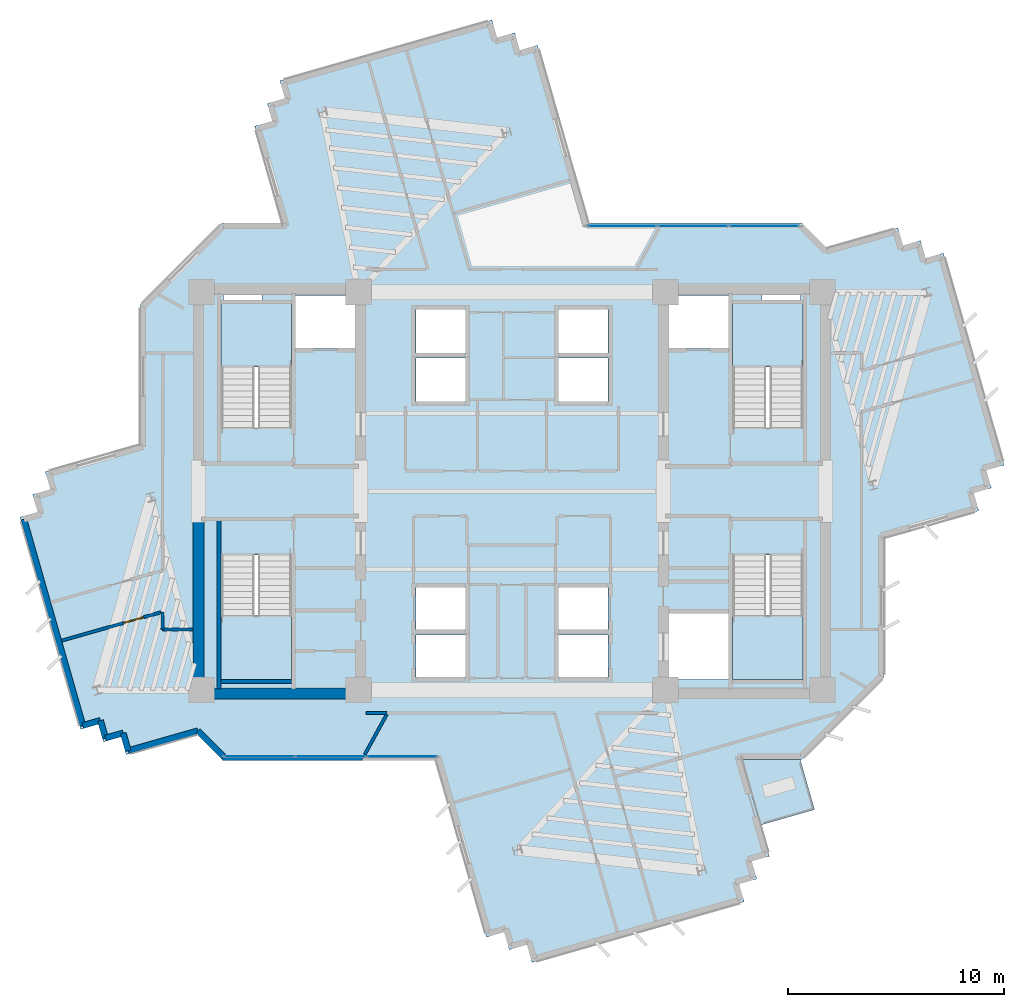
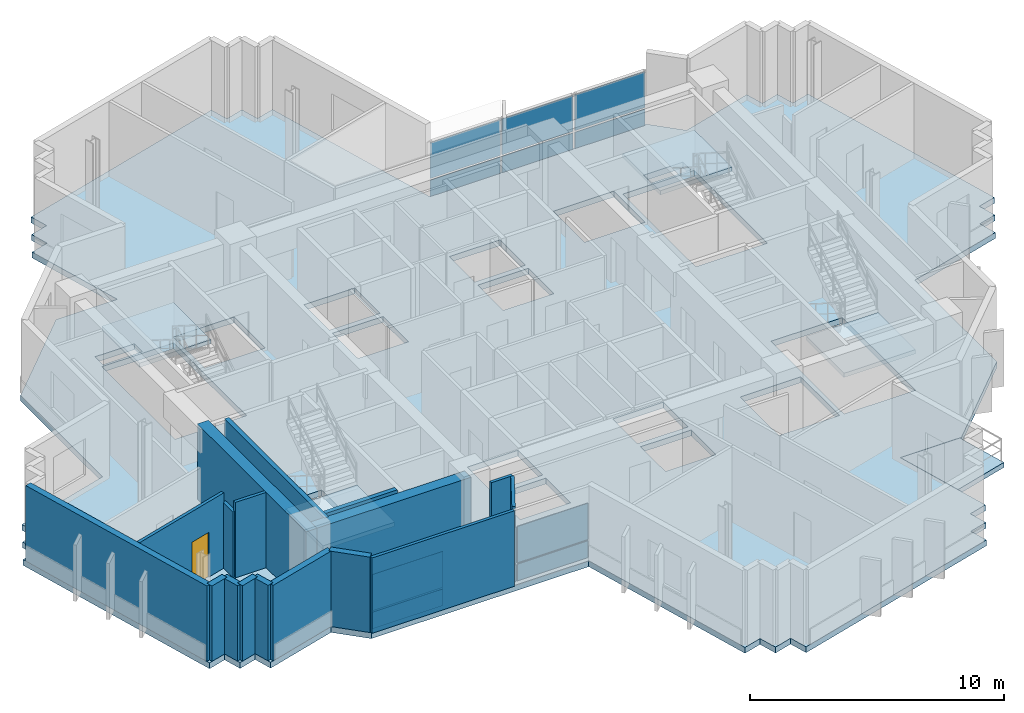
# One storey, part 4 of 14: 17 walls, 12 plates, 6 slabs, 1 door, 1 opening, 6 elements without a shape of their own.
"""IFC4 building model written with IfcOpenShell, lengths in metres."""

from ifc_helpers import new_model, si_unit, direction, frame, frame_2d, origin, origin_2d, place, context, subcontext, project, spatial, polyline, rectangle, outline, extrude, source, transform, mapped, material, layer, layer_set, type_object, element, fill, aggregate, save


model = new_model("IFC4")

# Units and contexts
model_context = context("Model", 3, precision=1e-05, world=origin(), true_north=direction((0.0, 1.0)))
body_context = subcontext(model_context, "Body", "Model", "MODEL_VIEW")
ifc_project = project(units=[si_unit("LENGTHUNIT", "METRE"), si_unit("AREAUNIT", "SQUARE_METRE"), si_unit("VOLUMEUNIT", "CUBIC_METRE"), si_unit("PLANEANGLEUNIT", "RADIAN"), si_unit("MASSUNIT", "GRAM", prefix="KILO")], contexts=[model_context])

# Site, building, storey
site_placement = place(None, origin())
site = spatial("IfcSite", under=ifc_project, at=site_placement, CompositionType="ELEMENT")
building_placement = place(site_placement, origin())
building = spatial("IfcBuilding", under=site, at=building_placement, Name="Zahravan Cultural Tower", CompositionType="ELEMENT")
storey_placement = place(building_placement, frame((0.0, 0.0, 209.699951171875)))
storey = spatial("IfcBuildingStorey", under=building, at=storey_placement, Name="L49", CompositionType="ELEMENT", Elevation=209.699951171875)

# Slab
ifc_material_1 = material(Name="Concrete C45/55", Category="concrete")
ifc_layer_1 = layer(ifc_material_1, 0.280029296875)
ifc_layer_set_1 = layer_set([ifc_layer_1], Name="Concrete C45/55")
slab_type_1 = type_object("IfcSlabType", Name="SL-LIB-280", PredefinedType="FLOOR", material=ifc_layer_set_1)
slab_1_placement = place(storey_placement, frame((0.0, 0.0, -0.280029296875)))
element("IfcSlab", 1, at=slab_1_placement, inside=storey, type_object=slab_type_1, Name="L49 Structural Floor Slab", PredefinedType="FLOOR", context=body_context, shape_type="SweptSolid", body=[
    extrude(outline(polyline([(50.5625, 38.2373046875), (49.39990234375, 39.39990234375), (39.5263671875, 39.39990234375), (37.176025390625, 47.6181640625), (36.35888671875, 47.384521484375), (36.125, 48.20166015625), (35.307861328125, 47.968017578125), (35.07421875, 48.78515625), (25.267333984375, 45.98046875), (25.5009765625, 45.163330078125), (24.683837890625, 44.929443359375), (24.91748046875, 44.1123046875), (24.100341796875, 43.878662109375), (25.381103515625, 39.39990234375), (22.60009765625, 39.39990234375), (18.800048828125, 35.60009765625), (18.800048828125, 29.153564453125), (14.42041015625, 27.901123046875), (14.654052734375, 27.083740234375), (13.8369140625, 26.85009765625), (14.070556640625, 26.032958984375), (13.25341796875, 25.79931640625), (16.05810546875, 15.9921875), (16.875244140625, 16.22607421875), (17.10888671875, 15.40869140625), (17.92626953125, 15.642578125), (18.159912109375, 14.8251953125), (21.4375, 15.7626953125), (22.60009765625, 14.60009765625), (32.4736328125, 14.60009765625), (34.823974609375, 6.3818359375), (35.64111328125, 6.615478515625), (35.875, 5.79833984375), (36.692138671875, 6.031982421875), (36.92578125, 5.21484375), (46.732666015625, 8.01953125), (46.4990234375, 8.836669921875), (47.316162109375, 9.070556640625), (47.08251953125, 9.8876953125), (47.899658203125, 10.121337890625), (46.618896484375, 14.60009765625), (49.39990234375, 14.60009765625), (53.199951171875, 18.39990234375), (53.199951171875, 24.846435546875), (57.57958984375, 26.098876953125), (57.345947265625, 26.916259765625), (58.1630859375, 27.14990234375), (57.929443359375, 27.967041015625), (58.74658203125, 28.20068359375), (55.94189453125, 38.0078125), (55.124755859375, 37.77392578125), (54.89111328125, 38.59130859375), (54.07373046875, 38.357421875), (53.840087890625, 39.1748046875), (50.5625, 38.2373046875)]), holes=[polyline([(22.550048828125, 29.949951171875), (22.550048828125, 35.699951171875), (25.800048828125, 35.699951171875), (25.800048828125, 29.949951171875), (22.550048828125, 29.949951171875)]), polyline([(22.550048828125, 18.300048828125), (22.550048828125, 24.050048828125), (25.800048828125, 24.050048828125), (25.800048828125, 18.300048828125), (22.550048828125, 18.300048828125)]), polyline([(46.199951171875, 29.949951171875), (46.199951171875, 35.699951171875), (49.449951171875, 35.699951171875), (49.449951171875, 29.949951171875), (46.199951171875, 29.949951171875)]), polyline([(46.199951171875, 18.300048828125), (46.199951171875, 24.050048828125), (49.449951171875, 24.050048828125), (49.449951171875, 18.300048828125), (46.199951171875, 18.300048828125)]), polyline([(26.0, 33.60009765625), (26.0, 36.050048828125), (28.75, 36.050048828125), (28.75, 33.60009765625), (26.0, 33.60009765625)]), polyline([(43.25, 33.60009765625), (43.25, 36.050048828125), (46.0, 36.050048828125), (46.0, 33.60009765625), (43.25, 33.60009765625)]), polyline([(43.25, 18.300048828125), (43.25, 21.35009765625), (46.0, 21.35009765625), (46.0, 18.300048828125), (43.25, 18.300048828125)]), polyline([(31.550048828125, 33.39990234375), (31.550048828125, 35.39990234375), (33.85009765625, 35.39990234375), (33.85009765625, 33.39990234375), (31.550048828125, 33.39990234375)]), polyline([(31.550048828125, 31.14990234375), (31.550048828125, 33.14990234375), (33.85009765625, 33.14990234375), (33.85009765625, 31.14990234375), (31.550048828125, 31.14990234375)]), polyline([(38.14990234375, 33.39990234375), (38.14990234375, 35.39990234375), (40.449951171875, 35.39990234375), (40.449951171875, 33.39990234375), (38.14990234375, 33.39990234375)]), polyline([(38.14990234375, 31.14990234375), (38.14990234375, 33.14990234375), (40.449951171875, 33.14990234375), (40.449951171875, 31.14990234375), (38.14990234375, 31.14990234375)]), polyline([(31.550048828125, 20.60009765625), (31.550048828125, 22.550048828125), (33.85009765625, 22.550048828125), (33.85009765625, 20.60009765625), (31.550048828125, 20.60009765625)]), polyline([(31.550048828125, 18.39990234375), (31.550048828125, 20.35009765625), (33.85009765625, 20.35009765625), (33.85009765625, 18.39990234375), (31.550048828125, 18.39990234375)]), polyline([(38.14990234375, 20.60009765625), (38.14990234375, 22.550048828125), (40.449951171875, 22.550048828125), (40.449951171875, 20.60009765625), (38.14990234375, 20.60009765625)]), polyline([(38.14990234375, 18.39990234375), (38.14990234375, 20.35009765625), (40.449951171875, 20.35009765625), (40.449951171875, 18.39990234375), (38.14990234375, 18.39990234375)]), polyline([(22.64990234375, 35.800048828125), (22.64990234375, 36.419921875), (24.449951171875, 36.419921875), (24.449951171875, 35.800048828125), (22.64990234375, 35.800048828125)]), polyline([(47.550048828125, 35.800048828125), (47.550048828125, 36.419921875), (49.35009765625, 36.419921875), (49.35009765625, 35.800048828125), (47.550048828125, 35.800048828125)])]), origin(), (0.0, 0.0, 1.0), 0.280029296875),
])

# Stair, slab
stair_type = type_object("IfcStairType", Name="STR-DL-1550-390", PredefinedType="HALF_TURN_STAIR", material=ifc_material_1)
stair_1_placement = place(storey_placement, origin())
stair_1 = element("IfcStair", 2, at=stair_1_placement, inside=storey, type_object=stair_type, Name="L49 West Core North Exit Stair ST-W1", PredefinedType="HALF_TURN_STAIR")
ifc_layer_2 = layer(ifc_material_1, 0.199951171875)
ifc_layer_set_2 = layer_set([ifc_layer_2], Name="Concrete C45/55")
slab_type_2 = type_object("IfcSlabType", Name="SL-STAIR-LND200", PredefinedType="LANDING", material=ifc_layer_set_2)
slab_2_placement = place(storey_placement, frame((0.0, 0.0, 1.75)))
slab_2 = element("IfcSlab", 3, at=slab_2_placement, type_object=slab_type_2, Name="ST-W1 landing 1", PredefinedType="LANDING", context=body_context, shape_type="SweptSolid", body=[
    extrude(outline(polyline([(25.800048828125, 32.75), (25.800048828125, 35.699951171875), (22.550048828125, 35.699951171875), (22.550048828125, 32.75), (25.800048828125, 32.75)])), origin(), (0.0, 0.0, 1.0), 0.199951171875),
])
aggregate(stair_1, [slab_2])

stair_2_placement = place(storey_placement, origin())
stair_2 = element("IfcStair", 4, at=stair_2_placement, inside=storey, type_object=stair_type, Name="L49 West Core South Exit Stair ST-W2", PredefinedType="HALF_TURN_STAIR")
slab_3_placement = place(storey_placement, frame((0.0, 0.0, 1.75)))
slab_3 = element("IfcSlab", 5, at=slab_3_placement, type_object=slab_type_2, Name="ST-W2 landing 1", PredefinedType="LANDING", context=body_context, shape_type="SweptSolid", body=[
    extrude(outline(polyline([(22.550048828125, 21.25), (22.550048828125, 18.300048828125), (25.800048828125, 18.300048828125), (25.800048828125, 21.25), (22.550048828125, 21.25)])), origin(), (0.0, 0.0, 1.0), 0.199951171875),
])
aggregate(stair_2, [slab_3])

stair_3_placement = place(storey_placement, origin())
stair_3 = element("IfcStair", 6, at=stair_3_placement, inside=storey, type_object=stair_type, Name="L49 East Core North Exit Stair ST-E1", PredefinedType="HALF_TURN_STAIR")
slab_4_placement = place(storey_placement, frame((0.0, 0.0, 1.75)))
slab_4 = element("IfcSlab", 7, at=slab_4_placement, type_object=slab_type_2, Name="ST-E1 landing 1", PredefinedType="LANDING", context=body_context, shape_type="SweptSolid", body=[
    extrude(outline(polyline([(49.449951171875, 32.75), (49.449951171875, 35.699951171875), (46.199951171875, 35.699951171875), (46.199951171875, 32.75), (49.449951171875, 32.75)])), origin(), (0.0, 0.0, 1.0), 0.199951171875),
])
aggregate(stair_3, [slab_4])

stair_4_placement = place(storey_placement, origin())
stair_4 = element("IfcStair", 8, at=stair_4_placement, inside=storey, type_object=stair_type, Name="L49 East Core South Exit Stair ST-E2", PredefinedType="HALF_TURN_STAIR")
slab_5_placement = place(storey_placement, frame((0.0, 0.0, 1.75)))
slab_5 = element("IfcSlab", 9, at=slab_5_placement, type_object=slab_type_2, Name="ST-E2 landing 1", PredefinedType="LANDING", context=body_context, shape_type="SweptSolid", body=[
    extrude(outline(polyline([(46.199951171875, 21.25), (46.199951171875, 18.300048828125), (49.449951171875, 18.300048828125), (49.449951171875, 21.25), (46.199951171875, 21.25)])), origin(), (0.0, 0.0, 1.0), 0.199951171875),
])
aggregate(stair_4, [slab_5])

# Slab
ifc_material_2 = material(Name="Concrete C40/50", Category="concrete")
ifc_layer_3 = layer(ifc_material_2, 0.239990234375)
ifc_layer_set_3 = layer_set([ifc_layer_3], Name="Concrete C40/50")
slab_type_3 = type_object("IfcSlabType", Name="SL-TERR-240", PredefinedType="FLOOR", material=ifc_layer_set_3)
slab_6_placement = place(storey_placement, frame((0.0, 0.0, -0.239990234375)))
element("IfcSlab", 10, at=slab_6_placement, inside=storey, type_object=slab_type_3, Name="L49 Planted Sculpture Terrace SE", PredefinedType="FLOOR", context=body_context, shape_type="SweptSolid", body=[
    extrude(outline(polyline([(49.987060546875, 12.278564453125), (49.32470703125, 14.594970703125), (46.62548828125, 14.594970703125), (47.4921875, 11.56494140625), (49.987060546875, 12.278564453125)])), origin(), (0.0, 0.0, 1.0), 0.239990234375),
])

# Curtain wall, plates
ifc_material_3 = material(Name="Anodised bronze-aluminium mullion", Category="aluminium")
ifc_layer_4 = layer(ifc_material_3, 0.1650390625)
ifc_layer_set_4 = layer_set([ifc_layer_4], Name="Anodised bronze-aluminium mullion")
curtain_wall_type_1 = type_object("IfcCurtainWallType", Name="CW-SYS-4", PredefinedType="USERDEFINED", material=ifc_layer_set_4)
curtain_wall_1_placement = place(storey_placement, origin())
curtain_wall_1 = element("IfcCurtainWall", 11, at=curtain_wall_1_placement, inside=storey, type_object=curtain_wall_type_1, Name="L49 Recessed Curtain Wall CW-4.1", ObjectType="RECESSED GLAZING", PredefinedType="USERDEFINED")
ifc_material_4 = material(Name="Low-E solar-control double glazing", Category="glass")
ifc_layer_5 = layer(ifc_material_4, 0.02587890625)
ifc_layer_set_5 = layer_set([ifc_layer_5], Name="Low-E solar-control double glazing")
plate_type_1 = type_object("IfcPlateType", Name="CWP-CW-4", PredefinedType="CURTAIN_PANEL", material=ifc_layer_set_5)
shared_shape_1 = source(origin(), body_context, "Body", "SweptSolid", [
    extrude(rectangle(XDim=3.209716796875, YDim=0.02587890625, at=origin_2d()), origin(), (0.0, 0.0, 1.0), 0.802490234375),
])
plate_1_placement = place(storey_placement, frame((30.909423828125, 14.739990234375, 0.06494140625), z_axis=(0.0, 0.0, 1.0), x_axis=(-1.0, 0.0, 0.0)))
plate_1 = element("IfcPlate", 12, at=plate_1_placement, type_object=plate_type_1, Name="CW-4 panel 1.1", PredefinedType="CURTAIN_PANEL", context=body_context, shape_type="MappedRepresentation", body=[
    mapped(shared_shape_1, transform((0.0, 0.0, 0.0), x_axis=(1.0, 0.0, 0.0), y_axis=(0.0, 1.0, 0.0), z_axis=(0.0, 0.0, 1.0), scale=1.0)),
])
plate_2_placement = place(storey_placement, frame((24.327880859375, 14.739990234375, 0.06494140625), z_axis=(0.0, 0.0, 1.0), x_axis=(-1.0, 0.0, 0.0)))
plate_2 = element("IfcPlate", 13, at=plate_2_placement, type_object=plate_type_1, Name="CW-4 panel 3.1", PredefinedType="CURTAIN_PANEL", context=body_context, shape_type="MappedRepresentation", body=[
    mapped(shared_shape_1, transform((0.0, 0.0, 0.0), x_axis=(1.0, 0.0, 0.0), y_axis=(0.0, 1.0, 0.0), z_axis=(0.0, 0.0, 1.0), scale=1.0)),
])
shared_shape_2 = source(origin(), body_context, "Body", "SweptSolid", [
    extrude(rectangle(XDim=3.209716796875, YDim=0.02587890625, at=origin_2d()), origin(), (0.0, 0.0, 1.0), 1.742431640625),
])
plate_3_placement = place(storey_placement, frame((30.909423828125, 14.739990234375, 0.9326171875), z_axis=(0.0, 0.0, 1.0), x_axis=(-1.0, 0.0, 0.0)))
plate_3 = element("IfcPlate", 14, at=plate_3_placement, type_object=plate_type_1, Name="CW-4 panel 1.2", PredefinedType="CURTAIN_PANEL", context=body_context, shape_type="MappedRepresentation", body=[
    mapped(shared_shape_2, transform((0.0, 0.0, 0.0), x_axis=(1.0, 0.0, 0.0), y_axis=(0.0, 1.0, 0.0), z_axis=(0.0, 0.0, 1.0), scale=1.0)),
])
plate_4_placement = place(storey_placement, frame((24.327880859375, 14.739990234375, 0.9326171875), z_axis=(0.0, 0.0, 1.0), x_axis=(-1.0, 0.0, 0.0)))
plate_4 = element("IfcPlate", 15, at=plate_4_placement, type_object=plate_type_1, Name="CW-4 panel 3.2", PredefinedType="CURTAIN_PANEL", context=body_context, shape_type="MappedRepresentation", body=[
    mapped(shared_shape_2, transform((0.0, 0.0, 0.0), x_axis=(1.0, 0.0, 0.0), y_axis=(0.0, 1.0, 0.0), z_axis=(0.0, 0.0, 1.0), scale=1.0)),
])
shared_shape_3 = source(origin(), body_context, "Body", "SweptSolid", [
    extrude(rectangle(XDim=3.2421875, YDim=0.02587890625, at=origin_2d()), origin(), (0.0, 0.0, 1.0), 0.802490234375),
])
plate_5_placement = place(storey_placement, frame((27.61865234375, 14.739990234375, 0.06494140625), z_axis=(0.0, 0.0, 1.0), x_axis=(-1.0, 0.0, 0.0)))
plate_5 = element("IfcPlate", 16, at=plate_5_placement, type_object=plate_type_1, Name="CW-4 panel 2.1", PredefinedType="CURTAIN_PANEL", context=body_context, shape_type="MappedRepresentation", body=[
    mapped(shared_shape_3, transform((0.0, 0.0, 0.0), x_axis=(1.0, 0.0, 0.0), y_axis=(0.0, 1.0, 0.0), z_axis=(0.0, 0.0, 1.0), scale=1.0)),
])
shared_shape_4 = source(origin(), body_context, "Body", "SweptSolid", [
    extrude(rectangle(XDim=3.2421875, YDim=0.02587890625, at=origin_2d()), origin(), (0.0, 0.0, 1.0), 1.742431640625),
])
plate_6_placement = place(storey_placement, frame((27.61865234375, 14.739990234375, 0.9326171875), z_axis=(0.0, 0.0, 1.0), x_axis=(-1.0, 0.0, 0.0)))
plate_6 = element("IfcPlate", 17, at=plate_6_placement, type_object=plate_type_1, Name="CW-4 panel 2.2", PredefinedType="CURTAIN_PANEL", context=body_context, shape_type="MappedRepresentation", body=[
    mapped(shared_shape_4, transform((0.0, 0.0, 0.0), x_axis=(1.0, 0.0, 0.0), y_axis=(0.0, 1.0, 0.0), z_axis=(0.0, 0.0, 1.0), scale=1.0)),
])
aggregate(curtain_wall_1, [plate_1, plate_3, plate_5, plate_6, plate_2, plate_4])

ifc_layer_6 = layer(ifc_material_3, 0.219970703125)
ifc_layer_set_6 = layer_set([ifc_layer_6], Name="Anodised bronze-aluminium mullion")
curtain_wall_type_2 = type_object("IfcCurtainWallType", Name="CW-SYS-1", PredefinedType="USERDEFINED", material=ifc_layer_set_6)
curtain_wall_2_placement = place(storey_placement, origin())
curtain_wall_2 = element("IfcCurtainWall", 18, at=curtain_wall_2_placement, inside=storey, type_object=curtain_wall_type_2, Name="L49 Recessed Curtain Wall CW-1.2", ObjectType="RECESSED GLAZING", PredefinedType="USERDEFINED")
ifc_layer_7 = layer(ifc_material_4, 0.031982421875)
ifc_layer_set_7 = layer_set([ifc_layer_7], Name="Low-E solar-control double glazing")
plate_type_2 = type_object("IfcPlateType", Name="CWP-CW-1", PredefinedType="CURTAIN_PANEL", material=ifc_layer_set_7)
shared_shape_5 = source(origin(), body_context, "Body", "SweptSolid", [
    extrude(rectangle(XDim=3.18701171875, YDim=0.031982421875, at=origin_2d()), origin(), (0.0, 0.0, 1.0), 0.780029296875),
])
plate_7_placement = place(storey_placement, frame((41.09423828125, 39.260009765625, 0.080078125), z_axis=(0.0, 0.0, 1.0), x_axis=(1.0, 0.0, 0.0)))
plate_7 = element("IfcPlate", 19, at=plate_7_placement, type_object=plate_type_2, Name="CW-1 panel 1.1", PredefinedType="CURTAIN_PANEL", context=body_context, shape_type="MappedRepresentation", body=[
    mapped(shared_shape_5, transform((0.0, 0.0, 0.0), x_axis=(1.0, 0.0, 0.0), y_axis=(0.0, 1.0, 0.0), z_axis=(0.0, 0.0, 1.0), scale=1.0)),
])
plate_8_placement = place(storey_placement, frame((47.66845703125, 39.260009765625, 0.080078125), z_axis=(0.0, 0.0, 1.0), x_axis=(1.0, 0.0, 0.0)))
plate_8 = element("IfcPlate", 20, at=plate_8_placement, type_object=plate_type_2, Name="CW-1 panel 3.1", PredefinedType="CURTAIN_PANEL", context=body_context, shape_type="MappedRepresentation", body=[
    mapped(shared_shape_5, transform((0.0, 0.0, 0.0), x_axis=(1.0, 0.0, 0.0), y_axis=(0.0, 1.0, 0.0), z_axis=(0.0, 0.0, 1.0), scale=1.0)),
])
shared_shape_6 = source(origin(), body_context, "Body", "SweptSolid", [
    extrude(rectangle(XDim=3.18701171875, YDim=0.031982421875, at=origin_2d()), origin(), (0.0, 0.0, 1.0), 1.719970703125),
])
plate_9_placement = place(storey_placement, frame((41.09423828125, 39.260009765625, 0.93994140625), z_axis=(0.0, 0.0, 1.0), x_axis=(1.0, 0.0, 0.0)))
plate_9 = element("IfcPlate", 21, at=plate_9_placement, type_object=plate_type_2, Name="CW-1 panel 1.2", PredefinedType="CURTAIN_PANEL", context=body_context, shape_type="MappedRepresentation", body=[
    mapped(shared_shape_6, transform((0.0, 0.0, 0.0), x_axis=(1.0, 0.0, 0.0), y_axis=(0.0, 1.0, 0.0), z_axis=(0.0, 0.0, 1.0), scale=1.0)),
])
plate_10_placement = place(storey_placement, frame((47.66845703125, 39.260009765625, 0.93994140625), z_axis=(0.0, 0.0, 1.0), x_axis=(1.0, 0.0, 0.0)))
plate_10 = element("IfcPlate", 22, at=plate_10_placement, type_object=plate_type_2, Name="CW-1 panel 3.2", PredefinedType="CURTAIN_PANEL", context=body_context, shape_type="MappedRepresentation", body=[
    mapped(shared_shape_6, transform((0.0, 0.0, 0.0), x_axis=(1.0, 0.0, 0.0), y_axis=(0.0, 1.0, 0.0), z_axis=(0.0, 0.0, 1.0), scale=1.0)),
])
shared_shape_7 = source(origin(), body_context, "Body", "SweptSolid", [
    extrude(rectangle(XDim=3.22705078125, YDim=0.031982421875, at=origin_2d()), origin(), (0.0, 0.0, 1.0), 0.780029296875),
])
plate_11_placement = place(storey_placement, frame((44.38134765625, 39.260009765625, 0.080078125), z_axis=(0.0, 0.0, 1.0), x_axis=(1.0, 0.0, 0.0)))
plate_11 = element("IfcPlate", 23, at=plate_11_placement, type_object=plate_type_2, Name="CW-1 panel 2.1", PredefinedType="CURTAIN_PANEL", context=body_context, shape_type="MappedRepresentation", body=[
    mapped(shared_shape_7, transform((0.0, 0.0, 0.0), x_axis=(1.0, 0.0, 0.0), y_axis=(0.0, 1.0, 0.0), z_axis=(0.0, 0.0, 1.0), scale=1.0)),
])
shared_shape_8 = source(origin(), body_context, "Body", "SweptSolid", [
    extrude(rectangle(XDim=3.22705078125, YDim=0.031982421875, at=origin_2d()), origin(), (0.0, 0.0, 1.0), 1.719970703125),
])
plate_12_placement = place(storey_placement, frame((44.38134765625, 39.260009765625, 0.93994140625), z_axis=(0.0, 0.0, 1.0), x_axis=(1.0, 0.0, 0.0)))
plate_12 = element("IfcPlate", 24, at=plate_12_placement, type_object=plate_type_2, Name="CW-1 panel 2.2", PredefinedType="CURTAIN_PANEL", context=body_context, shape_type="MappedRepresentation", body=[
    mapped(shared_shape_8, transform((0.0, 0.0, 0.0), x_axis=(1.0, 0.0, 0.0), y_axis=(0.0, 1.0, 0.0), z_axis=(0.0, 0.0, 1.0), scale=1.0)),
])
aggregate(curtain_wall_2, [plate_7, plate_9, plate_11, plate_12, plate_8, plate_10])

# Wall, opening, door
ifc_material_5 = material(Name="Gypsum plasterboard partition")
ifc_layer_8 = layer(ifc_material_5, 0.139892578125)
ifc_layer_set_8 = layer_set([ifc_layer_8], Name="Gypsum plasterboard partition")
wall_type_1 = type_object("IfcWallType", Name="W-PART-140", PredefinedType="PARTITIONING", material=ifc_layer_set_8)
wall_1_placement = place(storey_placement, frame((15.1826171875, 20.089599609375, 0.0), z_axis=(0.0, 0.0, 1.0), x_axis=(0.961460270043, 0.274943901784, 0.0)))
wall_1 = element("IfcWall", 25, at=wall_1_placement, inside=storey, type_object=wall_type_1, Name="L49 Interior Wall 119", PredefinedType="PARTITIONING", context=body_context, shape_type="SweptSolid", body=[
    extrude(rectangle(XDim=4.7763671875, YDim=0.139892578125, at=frame_2d((2.38818359375, 0.0))), origin(), (0.0, 0.0, 1.0), 3.6201171875),
])
opening_placement = place(wall_1_placement, frame((2.984619140625, 0.0, 0.0)))
opening = element("IfcOpeningElement", 26, at=opening_placement, cuts=wall_1, Name="Opening D-L49-29", PredefinedType="OPENING", context=body_context, shape_type="SweptSolid", body=[
    extrude(rectangle(XDim=0.949951171875, YDim=2.14990234375, at=frame_2d((0.47509765625, 1.074951171875))), frame((0.0, 0.079833984375, 0.0), z_axis=(0.0, -1.0, 0.0), x_axis=(1.0, 0.0, 0.0)), (0.0, 0.0, 1.0), 0.159912109375),
])
door_type = type_object("IfcDoorType", Name="DR-ROOM-950", OperationType="NOTDEFINED", PredefinedType="DOOR", material=ifc_material_3)
shared_shape_9 = source(origin(), body_context, "Body", "SweptSolid", [
    extrude(rectangle(XDim=0.949951171875, YDim=2.14990234375, at=frame_2d((0.47509765625, 1.074951171875))), frame((0.0, 0.02490234375, 0.0), z_axis=(0.0, -1.0, 0.0), x_axis=(1.0, 0.0, 0.0)), (0.0, 0.0, 1.0), 0.050048828125),
])
door_placement = place(opening_placement, origin())
door = element("IfcDoor", 27, at=door_placement, inside=storey, type_object=door_type, Name="L49 Door D-L49-29", OperationType="SINGLE_SWING_LEFT", OverallHeight=2.14990234375, OverallWidth=0.949951171875, PredefinedType="DOOR", context=body_context, shape_type="MappedRepresentation", body=[
    mapped(shared_shape_9, transform((0.0, 0.0, 0.0), x_axis=(1.0, 0.0, 0.0), y_axis=(0.0, 1.0, 0.0), z_axis=(0.0, 0.0, 1.0), scale=1.0)),
])
fill(opening, door)

# Walls
ifc_material_6 = material(Name="Concrete C60/75", Category="concrete")
ifc_layer_9 = layer(ifc_material_6, 0.5)
ifc_layer_set_9 = layer_set([ifc_layer_9], Name="Concrete C60/75")
wall_type_2 = type_object("IfcWallType", Name="CW-SHEAR-500-C60", PredefinedType="SHEAR", material=ifc_layer_set_9)
shared_shape_10 = source(origin(), body_context, "Body", "SweptSolid", [
    extrude(rectangle(XDim=8.550048828125, YDim=0.5, at=frame_2d((4.27490234375, 0.0))), origin(), (0.0, 0.0, 1.0), 3.6201171875),
])
wall_2_placement = place(storey_placement, frame((21.5, 17.39990234375, 0.0), z_axis=(0.0, 0.0, 1.0), x_axis=(0.0, 1.0, 0.0)))
element("IfcWall", 28, at=wall_2_placement, inside=storey, type_object=wall_type_2, Name="L49 Core Shear Wall CW-W-WS-L49", PredefinedType="SHEAR", context=body_context, shape_type="MappedRepresentation", body=[
    mapped(shared_shape_10, transform((0.0, 0.0, 0.0), x_axis=(1.0, 0.0, 0.0), y_axis=(0.0, 1.0, 0.0), z_axis=(0.0, 0.0, 1.0), scale=1.0)),
])
shared_shape_11 = source(origin(), body_context, "Body", "SweptSolid", [
    extrude(rectangle(XDim=7.0, YDim=0.5, at=frame_2d((3.5, 0.0))), origin(), (0.0, 0.0, 1.0), 3.6201171875),
])
wall_3_placement = place(storey_placement, frame((21.75, 17.64990234375, 0.0), z_axis=(0.0, 0.0, 1.0), x_axis=(1.0, 0.0, 0.0)))
element("IfcWall", 29, at=wall_3_placement, inside=storey, type_object=wall_type_2, Name="L49 Core Shear Wall CW-W-S-L49", PredefinedType="SHEAR", context=body_context, shape_type="MappedRepresentation", body=[
    mapped(shared_shape_11, transform((0.0, 0.0, 0.0), x_axis=(1.0, 0.0, 0.0), y_axis=(0.0, 1.0, 0.0), z_axis=(0.0, 0.0, 1.0), scale=1.0)),
])
ifc_material_7 = material(Name="Precast concrete C40/50", Category="concrete")
ifc_layer_10 = layer(ifc_material_7, 0.280029296875)
ifc_layer_set_10 = layer_set([ifc_layer_10], Name="Precast concrete C40/50")
wall_type_3 = type_object("IfcWallType", Name="EW-TC-280", PredefinedType="SOLIDWALL", material=ifc_layer_set_10)
shared_shape_12 = source(origin(), body_context, "Body", "SweptSolid", [
    extrude(rectangle(XDim=0.85009765625, YDim=0.280029296875, at=frame_2d((0.425048828125, 0.0))), origin(), (0.0, 0.0, 1.0), 3.6201171875),
])
for number, where, z_axis, x_axis, name in (
    (30, (18.256103515625, 14.998291015625, 0.0), (0.0, 0.0, 1.0), (-0.275100375961, 0.961415510144, 0.0), "L49 Exterior Masonry Frame Wall 28"),
    (31, (17.205078125, 15.581787109375, 0.0), (0.0, 0.0, 1.0), (-0.274834915789, 0.961491429532, 0.0), "L49 Exterior Masonry Frame Wall 30"),
):
    element("IfcWall", number, at=place(storey_placement, frame(where, z_axis=z_axis, x_axis=x_axis)), inside=storey, type_object=wall_type_3, Name=name, PredefinedType="SOLIDWALL", context=body_context, shape_type="MappedRepresentation", body=[
        mapped(shared_shape_12, transform((0.0, 0.0, 0.0), x_axis=(1.0, 0.0, 0.0), y_axis=(0.0, 1.0, 0.0), z_axis=(0.0, 0.0, 1.0), scale=1.0)),
    ])
shared_shape_13 = source(origin(), body_context, "Body", "SweptSolid", [
    extrude(rectangle(XDim=0.849853515625, YDim=0.280029296875, at=frame_2d((0.4248046875, 0.0))), origin(), (0.0, 0.0, 1.0), 3.6201171875),
])
for number, where, z_axis, x_axis, name in (
    (32, (18.022216796875, 15.815673828125, 0.0), (0.0, 0.0, 1.0), (-0.961393768724, -0.275176346112, 0.0), "L49 Exterior Masonry Frame Wall 29"),
    (33, (16.971435546875, 16.399169921875, 0.0), (0.0, 0.0, 1.0), (-0.961393768724, -0.275176346112, 0.0), "L49 Exterior Masonry Frame Wall 31"),
):
    element("IfcWall", number, at=place(storey_placement, frame(where, z_axis=z_axis, x_axis=x_axis)), inside=storey, type_object=wall_type_3, Name=name, PredefinedType="SOLIDWALL", context=body_context, shape_type="MappedRepresentation", body=[
        mapped(shared_shape_13, transform((0.0, 0.0, 0.0), x_axis=(1.0, 0.0, 0.0), y_axis=(0.0, 1.0, 0.0), z_axis=(0.0, 0.0, 1.0), scale=1.0)),
    ])
shared_shape_14 = source(origin(), body_context, "Body", "SweptSolid", [
    extrude(rectangle(XDim=9.920166015625, YDim=0.280029296875, at=frame_2d((4.9599609375, 0.0))), origin(), (0.0, 0.0, 1.0), 3.6201171875),
])
wall_4_placement = place(storey_placement, frame((16.154296875, 16.165283203125, 0.0), z_axis=(0.0, 0.0, 1.0), x_axis=(-0.274971401171, 0.961452405758, 0.0)))
element("IfcWall", 34, at=wall_4_placement, inside=storey, type_object=wall_type_3, Name="L49 Exterior Masonry Frame Wall 32", PredefinedType="SOLIDWALL", context=body_context, shape_type="MappedRepresentation", body=[
    mapped(shared_shape_14, transform((0.0, 0.0, 0.0), x_axis=(1.0, 0.0, 0.0), y_axis=(0.0, 1.0, 0.0), z_axis=(0.0, 0.0, 1.0), scale=1.0)),
])
shared_shape_15 = source(origin(), body_context, "Body", "SweptSolid", [
    extrude(rectangle(XDim=3.35107421875, YDim=0.280029296875, at=frame_2d((1.675537109375, 0.0))), origin(), (0.0, 0.0, 1.0), 3.6201171875),
])
wall_5_placement = place(storey_placement, frame((21.47802734375, 15.919921875, 0.0), z_axis=(0.0, 0.0, 1.0), x_axis=(-0.961438677319, -0.275019398869, 0.0)))
element("IfcWall", 35, at=wall_5_placement, inside=storey, type_object=wall_type_3, Name="L49 Exterior Masonry Frame Wall 27", PredefinedType="SOLIDWALL", context=body_context, shape_type="MappedRepresentation", body=[
    mapped(shared_shape_15, transform((0.0, 0.0, 0.0), x_axis=(1.0, 0.0, 0.0), y_axis=(0.0, 1.0, 0.0), z_axis=(0.0, 0.0, 1.0), scale=1.0)),
])
shared_shape_16 = source(origin(), body_context, "Body", "SweptSolid", [
    extrude(rectangle(XDim=1.668701171875, YDim=0.280029296875, at=frame_2d((0.83447265625, 0.0))), origin(), (0.0, 0.0, 1.0), 3.6201171875),
])
wall_6_placement = place(storey_placement, frame((22.657958984375, 14.739990234375, 0.0), z_axis=(0.0, 0.0, 1.0), x_axis=(-0.707106781187, 0.707106781187, 0.0)))
element("IfcWall", 36, at=wall_6_placement, inside=storey, type_object=wall_type_3, Name="L49 Exterior Masonry Frame Wall 26", PredefinedType="SOLIDWALL", context=body_context, shape_type="MappedRepresentation", body=[
    mapped(shared_shape_16, transform((0.0, 0.0, 0.0), x_axis=(1.0, 0.0, 0.0), y_axis=(0.0, 1.0, 0.0), z_axis=(0.0, 0.0, 1.0), scale=1.0)),
])
ifc_layer_11 = layer(ifc_material_1, 0.199951171875)
ifc_layer_set_11 = layer_set([ifc_layer_11], Name="Concrete C45/55")
wall_type_4 = type_object("IfcWallType", Name="W-SHAFT-200", PredefinedType="SOLIDWALL", material=ifc_layer_set_11)
shared_shape_17 = source(origin(), body_context, "Body", "SweptSolid", [
    extrude(rectangle(XDim=7.869873046875, YDim=0.199951171875, at=frame_2d((3.93505859375, 0.0))), origin(), (0.0, 0.0, 1.0), 3.6201171875),
])
wall_7_placement = place(storey_placement, frame((22.449951171875, 17.85009765625, 0.0), z_axis=(0.0, 0.0, 1.0), x_axis=(0.0, 1.0, 0.0)))
element("IfcWall", 37, at=wall_7_placement, inside=storey, type_object=wall_type_4, Name="L49 Interior Wall 001", PredefinedType="SOLIDWALL", context=body_context, shape_type="MappedRepresentation", body=[
    mapped(shared_shape_17, transform((0.0, 0.0, 0.0), x_axis=(1.0, 0.0, 0.0), y_axis=(0.0, 1.0, 0.0), z_axis=(0.0, 0.0, 1.0), scale=1.0)),
])
shared_shape_18 = source(origin(), body_context, "Body", "SweptSolid", [
    extrude(rectangle(XDim=3.25, YDim=0.199951171875, at=frame_2d((1.625, 0.0))), origin(), (0.0, 0.0, 1.0), 3.6201171875),
])
wall_8_placement = place(storey_placement, frame((22.550048828125, 18.199951171875, 0.0), z_axis=(0.0, 0.0, 1.0), x_axis=(1.0, 0.0, 0.0)))
element("IfcWall", 38, at=wall_8_placement, inside=storey, type_object=wall_type_4, Name="L49 Interior Wall 019", PredefinedType="SOLIDWALL", context=body_context, shape_type="MappedRepresentation", body=[
    mapped(shared_shape_18, transform((0.0, 0.0, 0.0), x_axis=(1.0, 0.0, 0.0), y_axis=(0.0, 1.0, 0.0), z_axis=(0.0, 0.0, 1.0), scale=1.0)),
])
shared_shape_19 = source(origin(), body_context, "Body", "SweptSolid", [
    extrude(rectangle(XDim=1.39404296875, YDim=0.139892578125, at=frame_2d((0.697021484375, 0.0))), origin(), (0.0, 0.0, 1.0), 3.6201171875),
])
wall_9_placement = place(storey_placement, frame((19.85107421875, 20.60107421875, 0.0), z_axis=(0.0, 0.0, 1.0), x_axis=(0.999999754632, -0.000700525222, 0.0)))
element("IfcWall", 39, at=wall_9_placement, inside=storey, type_object=wall_type_1, Name="L49 Interior Wall 116", PredefinedType="PARTITIONING", context=body_context, shape_type="MappedRepresentation", body=[
    mapped(shared_shape_19, transform((0.0, 0.0, 0.0), x_axis=(1.0, 0.0, 0.0), y_axis=(0.0, 1.0, 0.0), z_axis=(0.0, 0.0, 1.0), scale=1.0)),
])
shared_shape_20 = source(origin(), body_context, "Body", "SweptSolid", [
    extrude(rectangle(XDim=2.111083984375, YDim=0.139892578125, at=frame_2d((1.0556640625, 0.0))), origin(), (0.0, 0.0, 1.0), 3.6201171875),
])
wall_10_placement = place(storey_placement, frame((29.192626953125, 14.827392578125, 0.0), z_axis=(0.0, 0.0, 1.0), x_axis=(0.481297142313, 0.876557505702, 0.0)))
element("IfcWall", 40, at=wall_10_placement, inside=storey, type_object=wall_type_1, Name="L49 Interior Wall 100", PredefinedType="PARTITIONING", context=body_context, shape_type="MappedRepresentation", body=[
    mapped(shared_shape_20, transform((0.0, 0.0, 0.0), x_axis=(1.0, 0.0, 0.0), y_axis=(0.0, 1.0, 0.0), z_axis=(0.0, 0.0, 1.0), scale=1.0)),
])
shared_shape_21 = source(origin(), body_context, "Body", "SweptSolid", [
    extrude(rectangle(XDim=0.97119140625, YDim=0.139892578125, at=frame_2d((0.485595703125, 0.0))), origin(), (0.0, 0.0, 1.0), 3.6201171875),
])
wall_11_placement = place(storey_placement, frame((29.25341796875, 16.740478515625, 0.0), z_axis=(0.0, 0.0, 1.0), x_axis=(0.999999873614, -0.000502765145, 0.0)))
element("IfcWall", 41, at=wall_11_placement, inside=storey, type_object=wall_type_1, Name="L49 Interior Wall 117", PredefinedType="PARTITIONING", context=body_context, shape_type="MappedRepresentation", body=[
    mapped(shared_shape_21, transform((0.0, 0.0, 0.0), x_axis=(1.0, 0.0, 0.0), y_axis=(0.0, 1.0, 0.0), z_axis=(0.0, 0.0, 1.0), scale=1.0)),
])
shared_shape_22 = source(origin(), body_context, "Body", "SweptSolid", [
    extrude(rectangle(XDim=6.470458984375, YDim=0.139892578125, at=frame_2d((3.2353515625, 0.0))), origin(), (0.0, 0.0, 1.0), 3.6201171875),
])
wall_12_placement = place(storey_placement, frame((29.07861328125, 14.6201171875, 0.0), z_axis=(0.0, 0.0, 1.0), x_axis=(-1.0, 0.0, 0.0)))
element("IfcWall", 42, at=wall_12_placement, inside=storey, type_object=wall_type_1, Name="L49 Interior Wall 118", PredefinedType="PARTITIONING", context=body_context, shape_type="MappedRepresentation", body=[
    mapped(shared_shape_22, transform((0.0, 0.0, 0.0), x_axis=(1.0, 0.0, 0.0), y_axis=(0.0, 1.0, 0.0), z_axis=(0.0, 0.0, 1.0), scale=1.0)),
])
shared_shape_23 = source(origin(), body_context, "Body", "SweptSolid", [
    extrude(rectangle(XDim=0.8232421875, YDim=0.139892578125, at=frame_2d((0.41162109375, 0.0))), origin(), (0.0, 0.0, 1.0), 3.149169921875),
])
wall_13_placement = place(storey_placement, frame((19.85009765625, 21.42431640625, 0.0), z_axis=(0.0, 0.0, 1.0), x_axis=(0.001186238786, -0.999999296419, 0.0)))
element("IfcWall", 43, at=wall_13_placement, inside=storey, type_object=wall_type_1, Name="L49 Interior Wall 115", PredefinedType="PARTITIONING", context=body_context, shape_type="MappedRepresentation", body=[
    mapped(shared_shape_23, transform((0.0, 0.0, 0.0), x_axis=(1.0, 0.0, 0.0), y_axis=(0.0, 1.0, 0.0), z_axis=(0.0, 0.0, 1.0), scale=1.0)),
])

save(model, "model.ifc")
